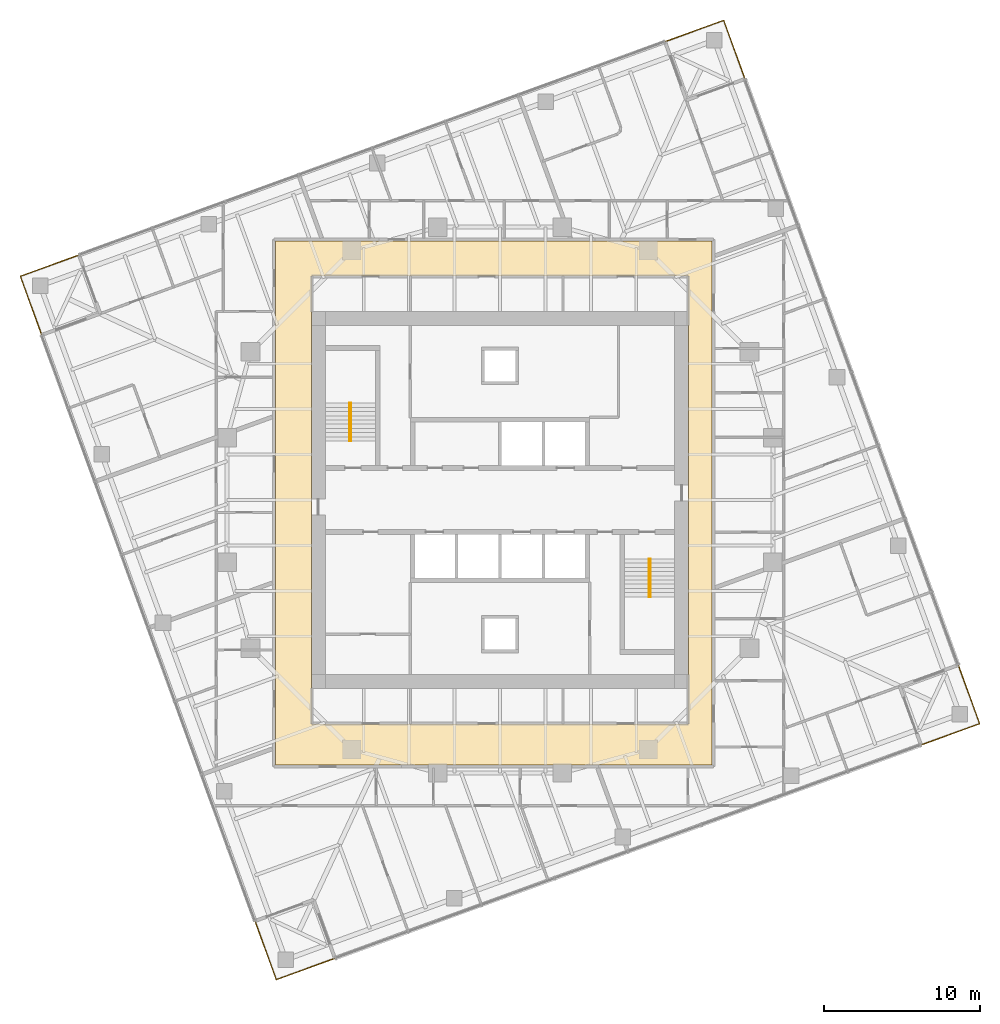
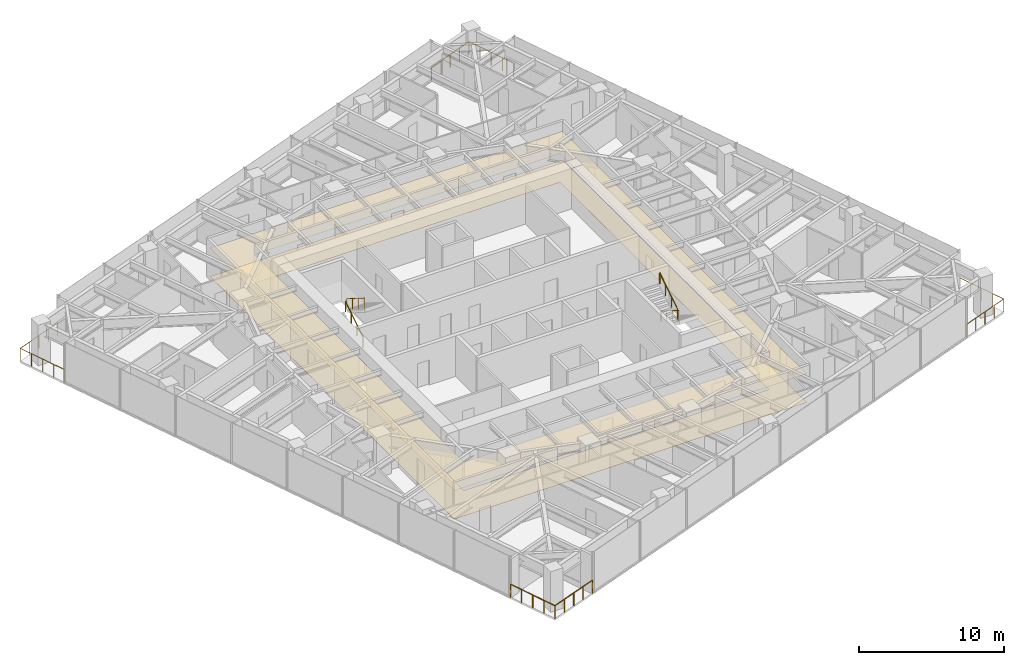
# One storey, part 13 of 13: 8 railings, 2 coverings, 2 elements without a shape of their own.
"""IFC4 building model written with IfcOpenShell, lengths in metres."""

from ifc_helpers import new_model, si_unit, direction, frame, origin, origin_2d, place, context, subcontext, project, spatial, polyline, circle, outline, extrude, material, layer, layer_set, type_object, element, aggregate, save


model = new_model("IFC4")

# Units and contexts
model_context = context("Model", 3, precision=1e-05, world=origin(), true_north=direction((0.0, 1.0)))
body_context = subcontext(model_context, "Body", "Model", "MODEL_VIEW")
ifc_project = project(units=[si_unit("LENGTHUNIT", "METRE"), si_unit("AREAUNIT", "SQUARE_METRE"), si_unit("VOLUMEUNIT", "CUBIC_METRE"), si_unit("PLANEANGLEUNIT", "RADIAN"), si_unit("MASSUNIT", "GRAM", prefix="KILO")], contexts=[model_context])

# Site, building, storey
site_placement = place(None, origin())
site = spatial("IfcSite", under=ifc_project, at=site_placement, CompositionType="ELEMENT")
building_placement = place(site_placement, origin())
building = spatial("IfcBuilding", under=site, at=building_placement, Name="Torsade Residences", CompositionType="ELEMENT")
storey_placement = place(building_placement, frame((0.0, 0.0, 164.199951171875)))
storey = spatial("IfcBuildingStorey", under=building, at=storey_placement, Name="L45", CompositionType="ELEMENT", Elevation=164.199951171875)

# Coverings
ifc_material_1 = material(Name="Nylon carpet tile on underlay", Category="textile")
ifc_layer_1 = layer(ifc_material_1, 0.010009765625)
ifc_layer_set_1 = layer_set([ifc_layer_1], Name="Nylon carpet tile on underlay")
covering_type_1 = type_object("IfcCoveringType", Name="CORRIDOR CARPET TILE 10", PredefinedType="FLOORING", material=ifc_layer_set_1)
covering_1_placement = place(storey_placement, origin())
element("IfcCovering", 1, at=covering_1_placement, inside=storey, type_object=covering_type_1, Name="Corridor carpet L45", PredefinedType="FLOORING", context=body_context, shape_type="SweptSolid", body=[
    extrude(outline(polyline([(25.60009765625, 46.60009765625), (25.60009765625, 13.0), (53.60009765625, 13.0), (53.60009765625, 46.60009765625), (25.60009765625, 46.60009765625)]), holes=[polyline([(52.10009765625, 44.35009765625), (27.89990234375, 44.35009765625), (27.89990234375, 15.64990234375), (52.10009765625, 15.64990234375), (52.10009765625, 44.35009765625)])]), origin(), (0.0, 0.0, 1.0), 0.010009765625),
])
ifc_material_2 = material(Name="Plasterboard on suspended steel grid", Category="steel")
ifc_layer_2 = layer(ifc_material_2, 0.012939453125)
ifc_layer_set_2 = layer_set([ifc_layer_2], Name="Plasterboard on suspended steel grid")
covering_type_2 = type_object("IfcCoveringType", Name="CORRIDOR SUSPENDED CEILING 13", PredefinedType="CEILING", material=ifc_layer_set_2)
covering_2_placement = place(storey_placement, frame((0.0, 0.0, 2.400146484375)))
element("IfcCovering", 2, at=covering_2_placement, inside=storey, type_object=covering_type_2, Name="Corridor ceiling L45", PredefinedType="CEILING", context=body_context, shape_type="SweptSolid", body=[
    extrude(outline(polyline([(25.60009765625, 46.60009765625), (25.60009765625, 13.0), (53.60009765625, 13.0), (53.60009765625, 46.60009765625), (25.60009765625, 46.60009765625)]), holes=[polyline([(52.10009765625, 44.35009765625), (27.89990234375, 44.35009765625), (27.89990234375, 15.64990234375), (52.10009765625, 15.64990234375), (52.10009765625, 44.35009765625)])]), origin(), (0.0, 0.0, 1.0), 0.012939453125),
])

# Stair, railings
ifc_material_3 = material(Name="Precast concrete 40 MPa", Category="concrete")
stair_type = type_object("IfcStairType", Name="HALF-TURN FIRE STAIR 1500x3400", PredefinedType="HALF_TURN_STAIR", material=ifc_material_3)
stair_1_placement = place(storey_placement, origin())
stair_1 = element("IfcStair", 3, at=stair_1_placement, inside=storey, type_object=stair_type, Name="Stair ST1 L45", PredefinedType="HALF_TURN_STAIR")
ifc_material_4 = material(Name="Steel handrail", Category="steel")
railing_type_1 = type_object("IfcRailingType", Name="STAIR HANDRAIL 900", PredefinedType="HANDRAIL", material=ifc_material_4)
railing_1_placement = place(storey_placement, frame((30.35009765625, 33.780029296875, 0.170166015625)))
railing_1 = element("IfcRailing", 4, at=railing_1_placement, type_object=railing_type_1, Name="Handrail ST1 flight 1 L45", PredefinedType="HANDRAIL", context=body_context, shape_type="SweptSolid", body=[
    extrude(circle(Radius=0.02392578125, at=origin_2d()), frame((0.0, 0.0, 0.8759765625), z_axis=(0.0, 0.846259816676, 0.532770422113), x_axis=(-1.0, 0.0, 0.0)), (0.0, 0.0, 1.0), 2.871337890625),
    extrude(circle(Radius=0.02099609375, at=origin_2d()), origin(), (0.0, 0.0, 1.0), 0.851806640625),
    extrude(circle(Radius=0.02099609375, at=origin_2d()), frame((0.0, 0.81005859375, 0.510009765625)), (0.0, 0.0, 1.0), 0.851806640625),
    extrude(circle(Radius=0.02099609375, at=origin_2d()), frame((0.0, 1.619873046875, 1.019775390625)), (0.0, 0.0, 1.0), 0.851806640625),
    extrude(circle(Radius=0.02099609375, at=origin_2d()), frame((0.0, 2.429931640625, 1.52978515625)), (0.0, 0.0, 1.0), 0.851806640625),
])
railing_2_placement = place(storey_placement, frame((30.449951171875, 36.2099609375, 1.8701171875)))
railing_2 = element("IfcRailing", 5, at=railing_2_placement, type_object=railing_type_1, Name="Handrail ST1 flight 2 L45", PredefinedType="HANDRAIL", context=body_context, shape_type="SweptSolid", body=[
    extrude(circle(Radius=0.02392578125, at=origin_2d()), frame((0.0, 0.0, 0.8759765625), z_axis=(0.0, -0.846221481393, 0.532831309544), x_axis=(1.0, 0.0, 0.0)), (0.0, 0.0, 1.0), 2.87158203125),
    extrude(circle(Radius=0.02099609375, at=origin_2d()), origin(), (0.0, 0.0, 1.0), 0.851806640625),
    extrude(circle(Radius=0.02099609375, at=origin_2d()), frame((0.0, -0.81005859375, 0.510009765625)), (0.0, 0.0, 1.0), 0.851806640625),
    extrude(circle(Radius=0.02099609375, at=origin_2d()), frame((0.0, -1.619873046875, 1.02001953125)), (0.0, 0.0, 1.0), 0.851806640625),
    extrude(circle(Radius=0.02099609375, at=origin_2d()), frame((0.0, -2.429931640625, 1.530029296875)), (0.0, 0.0, 1.0), 0.851806640625),
])
aggregate(stair_1, [railing_1, railing_2])

stair_2_placement = place(storey_placement, origin())
stair_2 = element("IfcStair", 6, at=stair_2_placement, inside=storey, type_object=stair_type, Name="Stair ST2 L45", PredefinedType="HALF_TURN_STAIR")
railing_3_placement = place(storey_placement, frame((49.64990234375, 26.219970703125, 0.170166015625)))
railing_3 = element("IfcRailing", 7, at=railing_3_placement, type_object=railing_type_1, Name="Handrail ST2 flight 1 L45", PredefinedType="HANDRAIL", context=body_context, shape_type="SweptSolid", body=[
    extrude(circle(Radius=0.02392578125, at=origin_2d()), frame((0.0, 0.0, 0.8759765625), z_axis=(0.0, -0.846259816676, 0.532770422113), x_axis=(1.0, 0.0, 0.0)), (0.0, 0.0, 1.0), 2.871337890625),
    extrude(circle(Radius=0.02099609375, at=origin_2d()), origin(), (0.0, 0.0, 1.0), 0.851806640625),
    extrude(circle(Radius=0.02099609375, at=origin_2d()), frame((0.0, -0.81005859375, 0.510009765625)), (0.0, 0.0, 1.0), 0.851806640625),
    extrude(circle(Radius=0.02099609375, at=origin_2d()), frame((0.0, -1.619873046875, 1.019775390625)), (0.0, 0.0, 1.0), 0.851806640625),
    extrude(circle(Radius=0.02099609375, at=origin_2d()), frame((0.0, -2.429931640625, 1.52978515625)), (0.0, 0.0, 1.0), 0.851806640625),
])
railing_4_placement = place(storey_placement, frame((49.550048828125, 23.7900390625, 1.8701171875)))
railing_4 = element("IfcRailing", 8, at=railing_4_placement, type_object=railing_type_1, Name="Handrail ST2 flight 2 L45", PredefinedType="HANDRAIL", context=body_context, shape_type="SweptSolid", body=[
    extrude(circle(Radius=0.02392578125, at=origin_2d()), frame((0.0, 0.0, 0.8759765625), z_axis=(0.0, 0.846221481393, 0.532831309544), x_axis=(-1.0, 0.0, 0.0)), (0.0, 0.0, 1.0), 2.87158203125),
    extrude(circle(Radius=0.02099609375, at=origin_2d()), origin(), (0.0, 0.0, 1.0), 0.851806640625),
    extrude(circle(Radius=0.02099609375, at=origin_2d()), frame((0.0, 0.81005859375, 0.510009765625)), (0.0, 0.0, 1.0), 0.851806640625),
    extrude(circle(Radius=0.02099609375, at=origin_2d()), frame((0.0, 1.619873046875, 1.02001953125)), (0.0, 0.0, 1.0), 0.851806640625),
    extrude(circle(Radius=0.02099609375, at=origin_2d()), frame((0.0, 2.429931640625, 1.530029296875)), (0.0, 0.0, 1.0), 0.851806640625),
])
aggregate(stair_2, [railing_3, railing_4])

# Railings
ifc_material_5 = material(Name="Laminated glass balustrade", Category="glass")
railing_type_2 = type_object("IfcRailingType", Name="TERRACE GLASS BALUSTRADE 1100", PredefinedType="BALUSTRADE", material=ifc_material_5)
railing_5_placement = place(storey_placement, frame((67.00244140625, 14.287841796875, 0.0)))
element("IfcRailing", 9, at=railing_5_placement, inside=storey, type_object=railing_type_2, Name="Terrace balustrade SE L45", PredefinedType="BALUSTRADE", context=body_context, shape_type="SweptSolid", body=[
    extrude(circle(Radius=0.02392578125, at=origin_2d()), frame((0.0, 0.0, 1.076171875), z_axis=(0.939698932726, 0.342002800914, 0.0), x_axis=(-0.342002800914, 0.939698932726, 0.0)), (0.0, 0.0, 1.0), 3.999755859375),
    extrude(circle(Radius=0.02392578125, at=origin_2d()), frame((3.758544921875, 1.367919921875, 1.076171875), z_axis=(-0.341983185197, 0.939706071622, 0.0), x_axis=(-0.939706071622, -0.341983185197, 0.0)), (0.0, 0.0, 1.0), 4.0),
    extrude(circle(Radius=0.02099609375, at=origin_2d()), origin(), (0.0, 0.0, 1.0), 1.052001953125),
    extrude(circle(Radius=0.02099609375, at=origin_2d()), frame((0.939697265625, 0.342041015625, 0.0)), (0.0, 0.0, 1.0), 1.052001953125),
    extrude(circle(Radius=0.02099609375, at=origin_2d()), frame((1.87939453125, 0.68408203125, 0.0)), (0.0, 0.0, 1.0), 1.052001953125),
    extrude(circle(Radius=0.02099609375, at=origin_2d()), frame((2.81884765625, 1.02587890625, 0.0)), (0.0, 0.0, 1.0), 1.052001953125),
    extrude(circle(Radius=0.02099609375, at=origin_2d()), frame((3.758544921875, 1.367919921875, 0.0)), (0.0, 0.0, 1.0), 1.052001953125),
    extrude(circle(Radius=0.02099609375, at=origin_2d()), frame((3.41650390625, 2.3076171875, 0.0)), (0.0, 0.0, 1.0), 1.052001953125),
    extrude(circle(Radius=0.02099609375, at=origin_2d()), frame((3.07470703125, 3.247314453125, 0.0)), (0.0, 0.0, 1.0), 1.052001953125),
    extrude(circle(Radius=0.02099609375, at=origin_2d()), frame((2.732666015625, 4.18701171875, 0.0)), (0.0, 0.0, 1.0), 1.052001953125),
    extrude(circle(Radius=0.02099609375, at=origin_2d()), frame((2.390625, 5.126708984375, 0.0)), (0.0, 0.0, 1.0), 1.052001953125),
])
railing_6_placement = place(storey_placement, frame((55.712158203125, 57.00244140625, 0.0)))
element("IfcRailing", 10, at=railing_6_placement, inside=storey, type_object=railing_type_2, Name="Terrace balustrade NE L45", PredefinedType="BALUSTRADE", context=body_context, shape_type="SweptSolid", body=[
    extrude(circle(Radius=0.02392578125, at=origin_2d()), frame((0.0, 0.0, 1.076171875), z_axis=(-0.342002800914, 0.939698932726, 0.0), x_axis=(-0.939698932726, -0.342002800914, 0.0)), (0.0, 0.0, 1.0), 3.999755859375),
    extrude(circle(Radius=0.02392578125, at=origin_2d()), frame((-1.367919921875, 3.758544921875, 1.076171875), z_axis=(-0.939706071622, -0.341983185197, 0.0), x_axis=(0.341983185197, -0.939706071622, 0.0)), (0.0, 0.0, 1.0), 4.0),
    extrude(circle(Radius=0.02099609375, at=origin_2d()), origin(), (0.0, 0.0, 1.0), 1.052001953125),
    extrude(circle(Radius=0.02099609375, at=origin_2d()), frame((-0.342041015625, 0.939697265625, 0.0)), (0.0, 0.0, 1.0), 1.052001953125),
    extrude(circle(Radius=0.02099609375, at=origin_2d()), frame((-0.68408203125, 1.87939453125, 0.0)), (0.0, 0.0, 1.0), 1.052001953125),
    extrude(circle(Radius=0.02099609375, at=origin_2d()), frame((-1.02587890625, 2.81884765625, 0.0)), (0.0, 0.0, 1.0), 1.052001953125),
    extrude(circle(Radius=0.02099609375, at=origin_2d()), frame((-1.367919921875, 3.758544921875, 0.0)), (0.0, 0.0, 1.0), 1.052001953125),
    extrude(circle(Radius=0.02099609375, at=origin_2d()), frame((-2.3076171875, 3.41650390625, 0.0)), (0.0, 0.0, 1.0), 1.052001953125),
    extrude(circle(Radius=0.02099609375, at=origin_2d()), frame((-3.247314453125, 3.07470703125, 0.0)), (0.0, 0.0, 1.0), 1.052001953125),
    extrude(circle(Radius=0.02099609375, at=origin_2d()), frame((-4.18701171875, 2.732666015625, 0.0)), (0.0, 0.0, 1.0), 1.052001953125),
    extrude(circle(Radius=0.02099609375, at=origin_2d()), frame((-5.126708984375, 2.390625, 0.0)), (0.0, 0.0, 1.0), 1.052001953125),
])
railing_7_placement = place(storey_placement, frame((12.99755859375, 45.712158203125, 0.0)))
element("IfcRailing", 11, at=railing_7_placement, inside=storey, type_object=railing_type_2, Name="Terrace balustrade NW L45", PredefinedType="BALUSTRADE", context=body_context, shape_type="SweptSolid", body=[
    extrude(circle(Radius=0.02392578125, at=origin_2d()), frame((0.0, 0.0, 1.076171875), z_axis=(-0.939698932726, -0.342002800914, 0.0), x_axis=(0.342002800914, -0.939698932726, 0.0)), (0.0, 0.0, 1.0), 3.999755859375),
    extrude(circle(Radius=0.02392578125, at=origin_2d()), frame((-3.758544921875, -1.367919921875, 1.076171875), z_axis=(0.341983185197, -0.939706071622, 0.0), x_axis=(0.939706071622, 0.341983185197, 0.0)), (0.0, 0.0, 1.0), 4.0),
    extrude(circle(Radius=0.02099609375, at=origin_2d()), origin(), (0.0, 0.0, 1.0), 1.052001953125),
    extrude(circle(Radius=0.02099609375, at=origin_2d()), frame((-0.939697265625, -0.342041015625, 0.0)), (0.0, 0.0, 1.0), 1.052001953125),
    extrude(circle(Radius=0.02099609375, at=origin_2d()), frame((-1.87939453125, -0.68408203125, 0.0)), (0.0, 0.0, 1.0), 1.052001953125),
    extrude(circle(Radius=0.02099609375, at=origin_2d()), frame((-2.81884765625, -1.02587890625, 0.0)), (0.0, 0.0, 1.0), 1.052001953125),
    extrude(circle(Radius=0.02099609375, at=origin_2d()), frame((-3.758544921875, -1.367919921875, 0.0)), (0.0, 0.0, 1.0), 1.052001953125),
    extrude(circle(Radius=0.02099609375, at=origin_2d()), frame((-3.41650390625, -2.3076171875, 0.0)), (0.0, 0.0, 1.0), 1.052001953125),
    extrude(circle(Radius=0.02099609375, at=origin_2d()), frame((-3.07470703125, -3.247314453125, 0.0)), (0.0, 0.0, 1.0), 1.052001953125),
    extrude(circle(Radius=0.02099609375, at=origin_2d()), frame((-2.732666015625, -4.18701171875, 0.0)), (0.0, 0.0, 1.0), 1.052001953125),
    extrude(circle(Radius=0.02099609375, at=origin_2d()), frame((-2.390625, -5.126708984375, 0.0)), (0.0, 0.0, 1.0), 1.052001953125),
])
railing_8_placement = place(storey_placement, frame((24.287841796875, 2.99755859375, 0.0)))
element("IfcRailing", 12, at=railing_8_placement, inside=storey, type_object=railing_type_2, Name="Terrace balustrade SW L45", PredefinedType="BALUSTRADE", context=body_context, shape_type="SweptSolid", body=[
    extrude(circle(Radius=0.02392578125, at=origin_2d()), frame((0.0, 0.0, 1.076171875), z_axis=(0.342002800914, -0.939698932726, 0.0), x_axis=(0.939698932726, 0.342002800914, 0.0)), (0.0, 0.0, 1.0), 3.999755859375),
    extrude(circle(Radius=0.02392578125, at=origin_2d()), frame((1.367919921875, -3.758544921875, 1.076171875), z_axis=(0.939706071622, 0.341983185197, 0.0), x_axis=(-0.341983185197, 0.939706071622, 0.0)), (0.0, 0.0, 1.0), 4.0),
    extrude(circle(Radius=0.02099609375, at=origin_2d()), origin(), (0.0, 0.0, 1.0), 1.052001953125),
    extrude(circle(Radius=0.02099609375, at=origin_2d()), frame((0.342041015625, -0.939697265625, 0.0)), (0.0, 0.0, 1.0), 1.052001953125),
    extrude(circle(Radius=0.02099609375, at=origin_2d()), frame((0.68408203125, -1.87939453125, 0.0)), (0.0, 0.0, 1.0), 1.052001953125),
    extrude(circle(Radius=0.02099609375, at=origin_2d()), frame((1.02587890625, -2.81884765625, 0.0)), (0.0, 0.0, 1.0), 1.052001953125),
    extrude(circle(Radius=0.02099609375, at=origin_2d()), frame((1.367919921875, -3.758544921875, 0.0)), (0.0, 0.0, 1.0), 1.052001953125),
    extrude(circle(Radius=0.02099609375, at=origin_2d()), frame((2.3076171875, -3.41650390625, 0.0)), (0.0, 0.0, 1.0), 1.052001953125),
    extrude(circle(Radius=0.02099609375, at=origin_2d()), frame((3.247314453125, -3.07470703125, 0.0)), (0.0, 0.0, 1.0), 1.052001953125),
    extrude(circle(Radius=0.02099609375, at=origin_2d()), frame((4.18701171875, -2.732666015625, 0.0)), (0.0, 0.0, 1.0), 1.052001953125),
    extrude(circle(Radius=0.02099609375, at=origin_2d()), frame((5.126708984375, -2.390625, 0.0)), (0.0, 0.0, 1.0), 1.052001953125),
])

save(model, "model.ifc")
